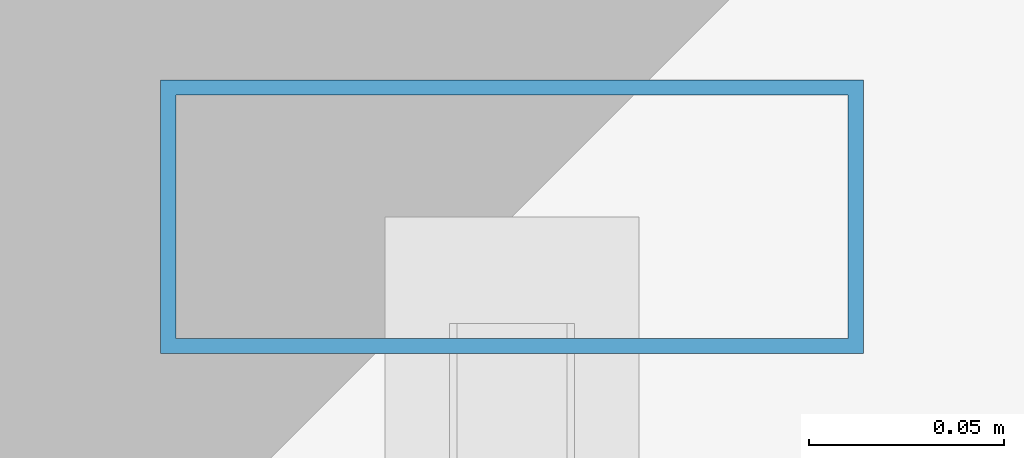
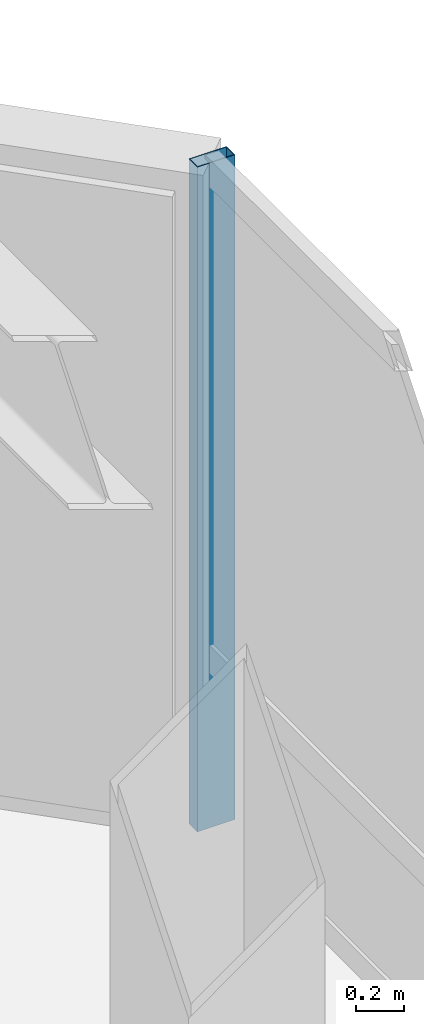
# One storey, part 13 of 21: 1 member, 1 element without a shape of its own.
"""IFC4 building model written with IfcOpenShell, lengths in metres."""

import ifcopenshell
import ifcopenshell.guid

model = None  # the IFC model being written
_history = None  # IfcOwnerHistory: only IFC2X3 demands one
_inside = {}  # id of a spatial element -> (the spatial element, [elements in it])
_under = {}  # id of a project, library or spatial element -> (it, [spatial elements below it])
_declared = {}  # id of a project -> (the project, [libraries it declares])
_typed = {}  # id of a type object -> (the type object, [elements of that type])
_made_of = {}  # id of a material, layer set ... -> (it, [elements and type objects made of it])


def new_model(schema):
    """Start an empty IFC model of exactly this schema.

    Asked for "IFC4X3", IfcOpenShell would pick the latest addendum, in which some entities
    have other attributes; the version numbers below select the first issue.
    IFC2X3 requires an IfcOwnerHistory on every rooted entity: one is made here for all.
    """
    global model, _history
    if schema == "IFC4X3":
        model = ifcopenshell.file(schema_version=(4, 3, 0, 0))
    else:
        model = ifcopenshell.file(schema=schema)
    _inside.clear()
    _under.clear()
    _declared.clear()
    _typed.clear()
    _made_of.clear()
    _history = None
    if model.schema == "IFC2X3":
        org = make("IfcOrganization", Name="unknown")
        user = make(
            "IfcPersonAndOrganization",
            ThePerson=make("IfcPerson", FamilyName="unknown"),
            TheOrganization=org,
        )
        app = make(
            "IfcApplication",
            ApplicationDeveloper=org,
            Version="unknown",
            ApplicationFullName="unknown",
            ApplicationIdentifier="unknown",
        )
        _history = make(
            "IfcOwnerHistory",
            OwningUser=user,
            OwningApplication=app,
            ChangeAction="ADDED",
            CreationDate=0,
        )
    return model


def make(cls, **values):
    """One entity of the class cls with the attributes given. An attribute that is None is left unset."""
    return model.create_entity(
        cls, **{name: value for name, value in values.items() if value is not None}
    )


def rooted(cls, **values):
    """An entity with a GlobalId (a new one), such as an element, a storey or a relation."""
    return make(cls, GlobalId=ifcopenshell.guid.new(), OwnerHistory=_history, **values)


def si_unit(unit_type, name, prefix=None):
    """IfcSIUnit, for example si_unit("LENGTHUNIT", "METRE", prefix="MILLI")."""
    return make("IfcSIUnit", UnitType=unit_type, Prefix=prefix, Name=name)


def assignment(units):
    """IfcUnitAssignment: the units of a project."""
    return None if units is None else make("IfcUnitAssignment", Units=units)


def point(xyz):
    """IfcCartesianPoint."""
    return None if xyz is None else make("IfcCartesianPoint", Coordinates=xyz)


def direction(xyz):
    """IfcDirection."""
    return None if xyz is None else make("IfcDirection", DirectionRatios=xyz)


def frame(location, z_axis=None, x_axis=None):
    """IfcAxis2Placement3D, a coordinate frame: its origin and axes. An axis left out is left unset."""
    return make(
        "IfcAxis2Placement3D",
        Location=point(location),
        Axis=direction(z_axis),
        RefDirection=direction(x_axis),
    )


def frame_2d(location, x_axis=None):
    """IfcAxis2Placement2D, a coordinate frame in the plane: its origin and x axis."""
    return make(
        "IfcAxis2Placement2D", Location=point(location), RefDirection=direction(x_axis)
    )


def origin():
    """The frame at (0, 0, 0) with its axes left unset."""
    return frame((0.0, 0.0, 0.0))


def origin_2d():
    """The frame at (0, 0) in the plane with its x axis left unset."""
    return frame_2d((0.0, 0.0))


def place(relative_to, where):
    """IfcLocalPlacement: puts the frame where relative to a parent placement (None: the world)."""
    return make(
        "IfcLocalPlacement", PlacementRelTo=relative_to, RelativePlacement=where
    )


def context(
    kind, dimensions, precision=None, world=None, true_north=None, identifier=None
):
    """IfcGeometricRepresentationContext, for example the 3D "Model" context."""
    return make(
        "IfcGeometricRepresentationContext",
        ContextIdentifier=identifier,
        ContextType=kind,
        CoordinateSpaceDimension=dimensions,
        Precision=precision,
        WorldCoordinateSystem=world,
        TrueNorth=true_north,
    )


def subcontext(parent, identifier, kind, view, scale=None):
    """IfcGeometricRepresentationSubContext, for example "Body" below "Model"."""
    return make(
        "IfcGeometricRepresentationSubContext",
        ContextIdentifier=identifier,
        ContextType=kind,
        ParentContext=parent,
        TargetScale=scale,
        TargetView=view,
    )


def project(units=None, contexts=None):
    """IfcProject with its units and contexts."""
    return rooted(
        "IfcProject",
        Name="project",
        RepresentationContexts=contexts,
        UnitsInContext=assignment(units),
    )


def spatial(cls, under=None, at=None, **own):
    """A site, building, storey or space (cls), placed at a placement, below another one or the project."""
    s = rooted(cls, ObjectPlacement=at, **own)
    if under is not None:
        _under.setdefault(under.id(), (under, []))[1].append(s)
    return s


def profile(cls, at=None, kind="AREA", **sizes):
    """A parametric profile (cls). Its sizes go by their IFC names, for example OverallWidth=200.0."""
    return make(cls, ProfileType=kind, Position=at, **sizes)


def hollow_rectangle(**sizes):
    """IfcRectangleHollowProfileDef."""
    return profile("IfcRectangleHollowProfileDef", **sizes)


def extrude(swept, where, along, depth):
    """IfcExtrudedAreaSolid: the profile swept, set in the frame where, extruded along a direction by depth."""
    return make(
        "IfcExtrudedAreaSolid",
        SweptArea=swept,
        Position=where,
        ExtrudedDirection=direction(along),
        Depth=depth,
    )


def shape(context_of_items, identifier, shape_type, items):
    """IfcShapeRepresentation: the items that make up one representation, for example the "Body"."""
    return make(
        "IfcShapeRepresentation",
        ContextOfItems=context_of_items,
        RepresentationIdentifier=identifier,
        RepresentationType=shape_type,
        Items=items,
    )


def material(Name=None, Category=None):
    """IfcMaterial."""
    return make("IfcMaterial", Name=Name, Category=Category)


def layer(
    of_material, thickness, ventilated=None, Name=None, Category=None, Priority=None
):
    """IfcMaterialLayer: one layer of a wall or slab, of a material (None: an air gap)."""
    return make(
        "IfcMaterialLayer",
        Material=of_material,
        LayerThickness=thickness,
        IsVentilated=ventilated,
        Name=Name,
        Category=Category,
        Priority=Priority,
    )


def layer_set(layers, Name=None):
    """IfcMaterialLayerSet."""
    return make("IfcMaterialLayerSet", MaterialLayers=layers, LayerSetName=Name)


def material_profile(
    of_material, cross_section, Name=None, Category=None, Priority=None
):
    """IfcMaterialProfile: a cross section and its material."""
    return make(
        "IfcMaterialProfile",
        Name=Name,
        Material=of_material,
        Profile=cross_section,
        Priority=Priority,
        Category=Category,
    )


def profile_set(profiles, Name=None, composite=None):
    """IfcMaterialProfileSet."""
    return make(
        "IfcMaterialProfileSet",
        Name=Name,
        MaterialProfiles=profiles,
        CompositeProfile=composite,
    )


def made_of(thing, what):
    """Note that an element or type object is made of a material, layer set ...; save() writes the relation."""
    if what is not None:
        _made_of.setdefault(what.id(), (what, []))[1].append(thing)
    return thing


def type_object(cls, material=None, **own):
    """A type object (cls), such as IfcWallType, which elements share."""
    return made_of(rooted(cls, **own), material)


def element(
    cls,
    number,
    at=None,
    inside=None,
    cuts=None,
    type_object=None,
    material=None,
    context=None,
    identifier="Body",
    shape_type=None,
    held_by="IfcProductDefinitionShape",
    body=None,
    shapes=None,
    **own,
):
    """One element of the class cls, such as IfcWall. Its Tag is "e" and its number.

    at: its placement. inside: the storey or other place that contains it. cuts: it is an
    opening in that element (IfcRelVoidsElement). A single representation is given by context,
    identifier, shape_type and body (its items); several are given by shapes. held_by: the class
    of the entity that holds the representations. save() writes the other relations.
    """
    e = rooted(cls, Tag="e%d" % number, ObjectPlacement=at, **own)
    if body is not None:
        shapes = [shape(context, identifier, shape_type, body)]
    if shapes is not None:
        e.Representation = make(held_by, Representations=shapes)
    if inside is not None:
        _inside.setdefault(inside.id(), (inside, []))[1].append(e)
    if cuts is not None:
        rooted(
            "IfcRelVoidsElement", RelatingBuildingElement=cuts, RelatedOpeningElement=e
        )
    if type_object is not None:
        _typed.setdefault(type_object.id(), (type_object, []))[1].append(e)
    return made_of(e, material)


def aggregate(whole, parts):
    """IfcRelAggregates: a whole, such as a stair, and the parts it consists of."""
    return rooted("IfcRelAggregates", RelatingObject=whole, RelatedObjects=parts)


def save(model, path):
    """Write the relations noted so far, then the file.

    IfcRelAggregates (storeys below a building ...), IfcRelContainedInSpatialStructure (elements
    in a storey), IfcRelDefinesByType, IfcRelAssociatesMaterial and IfcRelDeclares: one each for
    every whole, place, type object, material and project.
    """
    for whole, parts in _under.values():
        aggregate(whole, parts)
    for where, things in _inside.values():
        rooted(
            "IfcRelContainedInSpatialStructure",
            RelatedElements=things,
            RelatingStructure=where,
        )
    for kind, things in _typed.values():
        rooted("IfcRelDefinesByType", RelatedObjects=things, RelatingType=kind)
    for what, things in _made_of.values():
        rooted("IfcRelAssociatesMaterial", RelatedObjects=things, RelatingMaterial=what)
    for by, libraries in _declared.values():
        rooted("IfcRelDeclares", RelatingContext=by, RelatedDefinitions=libraries)
    model.write(path)


model = new_model("IFC4")

# Units and contexts
model_context = context("Model", 3, precision=1e-05, world=origin(), true_north=direction((0.0, 1.0)))
body_context = subcontext(model_context, "Body", "Model", "MODEL_VIEW")
ifc_project = project(units=[si_unit("LENGTHUNIT", "METRE"), si_unit("AREAUNIT", "SQUARE_METRE"), si_unit("VOLUMEUNIT", "CUBIC_METRE"), si_unit("PLANEANGLEUNIT", "RADIAN"), si_unit("MASSUNIT", "GRAM", prefix="KILO")], contexts=[model_context])

# Site, building, storey
site_placement = place(None, origin())
site = spatial("IfcSite", under=ifc_project, at=site_placement, CompositionType="ELEMENT")
building_placement = place(site_placement, origin())
building = spatial("IfcBuilding", under=site, at=building_placement, Name="Hatsunagi Terrace Concourse", CompositionType="ELEMENT")
storey_placement = place(building_placement, frame((0.0, 0.0, 246.75)))
storey = spatial("IfcBuildingStorey", under=building, at=storey_placement, Name="L65", CompositionType="ELEMENT", Elevation=246.75)

# Curtain wall, member
ifc_material_1 = material(Name="Anodised Aluminium Alloy 6063-T5", Category="aluminium")
ifc_layer = layer(ifc_material_1, 0.199951171875)
ifc_layer_set = layer_set([ifc_layer], Name="OfficeZone2_CW04")
curtain_wall_type = type_object("IfcCurtainWallType", Name="OfficeZone2_CW04", PredefinedType="NOTDEFINED", material=ifc_layer_set)
curtain_wall_placement = place(storey_placement, origin())
curtain_wall = element("IfcCurtainWall", 1, at=curtain_wall_placement, inside=storey, type_object=curtain_wall_type, Name="Unitised Curtain Wall CW-04 CW-L65-12", PredefinedType="NOTDEFINED")
ifc_material_2 = material(Name="Anodised Aluminium Alloy 6063-T5", Category="aluminium")
ifc_material_profile = material_profile(ifc_material_2, hollow_rectangle(XDim=0.070068359375, YDim=0.179931640625, WallThickness=0.00390625, at=origin_2d()), Name="ALU-MUL-180x70x4")
ifc_profile_set = profile_set([ifc_material_profile], Name="Anodised Aluminium Alloy 6063-T5")
member_type = type_object("IfcMemberType", Name="CurtainWallMullion_180x70", PredefinedType="MULLION", material=ifc_profile_set)
member_placement = place(storey_placement, frame((44.860107421875, 47.94189453125, 0.0), z_axis=(0.0, 0.0, 1.0), x_axis=(0.0, -1.0, 0.0)))
member = element("IfcMember", 2, at=member_placement, type_object=member_type, Name="Curtain Wall Mullion MUL-02", PredefinedType="MULLION", context=body_context, shape_type="SweptSolid", body=[
    extrude(hollow_rectangle(XDim=0.070068359375, YDim=0.179931640625, WallThickness=0.00390625, at=origin_2d()), origin(), (0.0, 0.0, 1.0), 3.35009765625),
])
aggregate(curtain_wall, [member])

save(model, "model.ifc")
